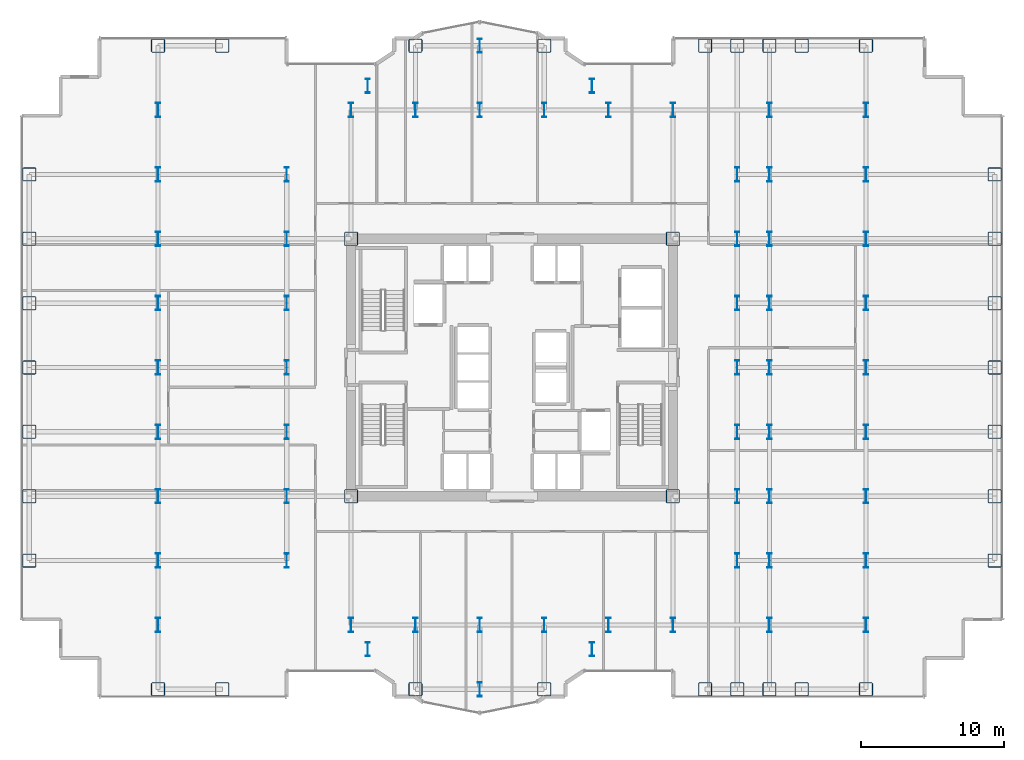
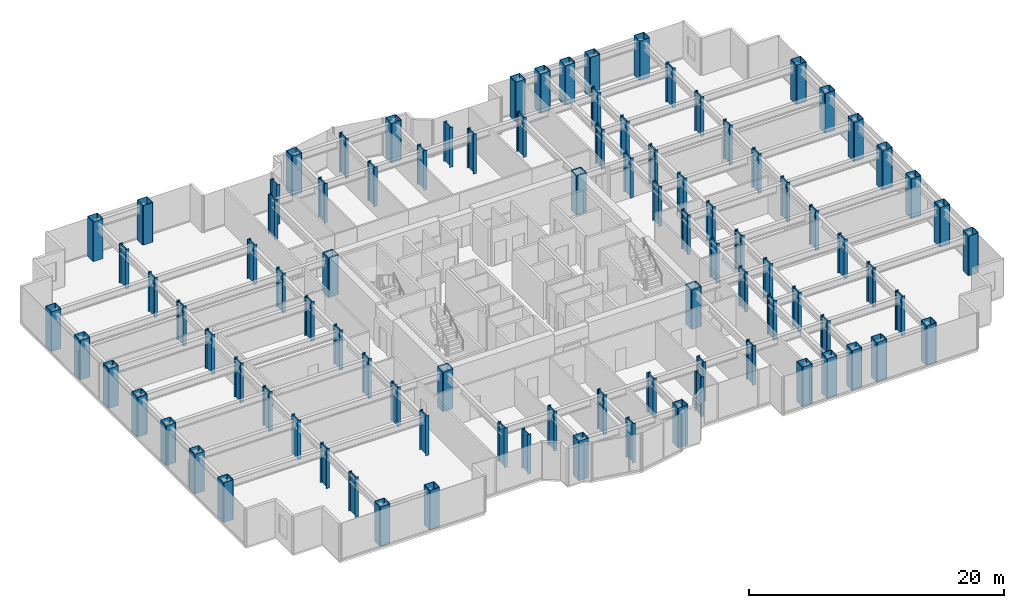
# One storey, part 1 of 25: 95 columns.
"""IFC4 building model written with IfcOpenShell, lengths in metres."""

from ifc_helpers import new_model, si_unit, direction, frame, origin, origin_2d, place, context, subcontext, project, spatial, hollow_rectangle, i_section, extrude, source, transform, mapped, material, material_profile, profile_set, type_object, element, save


model = new_model("IFC4")

# Units and contexts
model_context = context("Model", 3, precision=1e-05, world=origin(), true_north=direction((0.0, 1.0)))
body_context = subcontext(model_context, "Body", "Model", "MODEL_VIEW")
ifc_project = project(units=[si_unit("LENGTHUNIT", "METRE"), si_unit("AREAUNIT", "SQUARE_METRE"), si_unit("VOLUMEUNIT", "CUBIC_METRE"), si_unit("PLANEANGLEUNIT", "RADIAN"), si_unit("MASSUNIT", "GRAM", prefix="KILO")], contexts=[model_context])

# Site, building, storey
site_placement = place(None, origin())
site = spatial("IfcSite", under=ifc_project, at=site_placement, CompositionType="ELEMENT")
building_placement = place(site_placement, origin())
building = spatial("IfcBuilding", under=site, at=building_placement, Name="Nefas-Gora Pilgrimage Tower", CompositionType="ELEMENT")
storey_placement = place(building_placement, frame((0.0, 0.0, 71.0)))
storey = spatial("IfcBuildingStorey", under=building, at=storey_placement, Name="L16", CompositionType="ELEMENT", Elevation=71.0)

# Columns
ifc_material = material(Name="Steel S460", Category="steel")
ifc_material_profile_1 = material_profile(ifc_material, hollow_rectangle(XDim=0.949951171875, YDim=0.949951171875, WallThickness=0.044921875, InnerFilletRadius=0.044921875, OuterFilletRadius=0.090087890625, at=origin_2d()), Name="BOX 950x950x45")
ifc_profile_set_1 = profile_set([ifc_material_profile_1], Name="Steel S460")
column_type_1 = type_object("IfcColumnType", Name="COL-TUBE-950", PredefinedType="COLUMN", material=ifc_profile_set_1)
shared_shape_1 = source(origin(), body_context, "Body", "SweptSolid", [
    extrude(hollow_rectangle(XDim=0.949951171875, YDim=0.949951171875, WallThickness=0.044921875, InnerFilletRadius=0.044921875, OuterFilletRadius=0.090087890625, at=origin_2d()), origin(), (0.0, 0.0, 1.0), 3.800048828125),
])
for number, where, z_axis, x_axis, name in (
    (1, (-33.75, -13.5, 0.0), (0.0, 0.0, 1.0), (1.0, 0.0, 0.0), "L16 Tower Column C-Z1.1"),
    (2, (-33.75, -9.0, 0.0), (0.0, 0.0, 1.0), (1.0, 0.0, 0.0), "L16 Tower Column C-Z1.2"),
    (3, (-33.75, -4.5, 0.0), (0.0, 0.0, 1.0), (1.0, 0.0, 0.0), "L16 Tower Column C-Z1.3"),
    (4, (-33.75, 0.0, 0.0), (0.0, 0.0, 1.0), (1.0, 0.0, 0.0), "L16 Tower Column C-Z1.4"),
    (5, (-33.75, 4.5, 0.0), (0.0, 0.0, 1.0), (1.0, 0.0, 0.0), "L16 Tower Column C-Z1.5"),
    (6, (-33.75, 9.0, 0.0), (0.0, 0.0, 1.0), (1.0, 0.0, 0.0), "L16 Tower Column C-Z1.6"),
    (7, (-33.75, 13.5, 0.0), (0.0, 0.0, 1.0), (1.0, 0.0, 0.0), "L16 Tower Column C-Z1.7"),
    (8, (-24.75, -22.5, 0.0), (0.0, 0.0, 1.0), (1.0, 0.0, 0.0), "L16 Tower Column C-Z1.8"),
    (9, (-24.75, 22.5, 0.0), (0.0, 0.0, 1.0), (1.0, 0.0, 0.0), "L16 Tower Column C-Z1.18"),
    (10, (-20.25, -22.5, 0.0), (0.0, 0.0, 1.0), (1.0, 0.0, 0.0), "L16 Tower Column C-Z1.19"),
    (11, (-20.25, 22.5, 0.0), (0.0, 0.0, 1.0), (1.0, 0.0, 0.0), "L16 Tower Column C-Z1.20"),
    (12, (-6.75, -22.5, 0.0), (0.0, 0.0, 1.0), (1.0, 0.0, 0.0), "L16 Tower Column C-Z1.34"),
    (13, (-6.75, 22.5, 0.0), (0.0, 0.0, 1.0), (1.0, 0.0, 0.0), "L16 Tower Column C-Z1.37"),
    (14, (2.25, -22.5, 0.0), (0.0, 0.0, 1.0), (1.0, 0.0, 0.0), "L16 Tower Column C-Z1.42"),
    (15, (2.25, 22.5, 0.0), (0.0, 0.0, 1.0), (1.0, 0.0, 0.0), "L16 Tower Column C-Z1.45"),
    (16, (13.5, -22.5, 0.0), (0.0, 0.0, 1.0), (1.0, 0.0, 0.0), "L16 Tower Column C-Z1.54"),
    (17, (13.5, 22.5, 0.0), (0.0, 0.0, 1.0), (1.0, 0.0, 0.0), "L16 Tower Column C-Z1.55"),
    (18, (15.75, -22.5, 0.0), (0.0, 0.0, 1.0), (1.0, 0.0, 0.0), "L16 Tower Column C-Z1.56"),
    (19, (15.75, 22.5, 0.0), (0.0, 0.0, 1.0), (1.0, 0.0, 0.0), "L16 Tower Column C-Z1.64"),
    (20, (18.0, -22.5, 0.0), (0.0, 0.0, 1.0), (1.0, 0.0, 0.0), "L16 Tower Column C-Z1.65"),
    (21, (18.0, 22.5, 0.0), (0.0, 0.0, 1.0), (1.0, 0.0, 0.0), "L16 Tower Column C-Z1.75"),
    (22, (20.25, -22.5, 0.0), (0.0, 0.0, 1.0), (1.0, 0.0, 0.0), "L16 Tower Column C-Z1.76"),
    (23, (20.25, 22.5, 0.0), (0.0, 0.0, 1.0), (1.0, 0.0, 0.0), "L16 Tower Column C-Z1.77"),
    (24, (24.75, -22.5, 0.0), (0.0, 0.0, 1.0), (1.0, 0.0, 0.0), "L16 Tower Column C-Z1.78"),
    (25, (24.75, 22.5, 0.0), (0.0, 0.0, 1.0), (1.0, 0.0, 0.0), "L16 Tower Column C-Z1.88"),
    (26, (33.75, -13.5, 0.0), (0.0, 0.0, 1.0), (1.0, 0.0, 0.0), "L16 Tower Column C-Z1.89"),
    (27, (33.75, -9.0, 0.0), (0.0, 0.0, 1.0), (1.0, 0.0, 0.0), "L16 Tower Column C-Z1.90"),
    (28, (33.75, -4.5, 0.0), (0.0, 0.0, 1.0), (1.0, 0.0, 0.0), "L16 Tower Column C-Z1.91"),
    (29, (33.75, 0.0, 0.0), (0.0, 0.0, 1.0), (1.0, 0.0, 0.0), "L16 Tower Column C-Z1.92"),
    (30, (33.75, 4.5, 0.0), (0.0, 0.0, 1.0), (1.0, 0.0, 0.0), "L16 Tower Column C-Z1.93"),
    (31, (33.75, 9.0, 0.0), (0.0, 0.0, 1.0), (1.0, 0.0, 0.0), "L16 Tower Column C-Z1.94"),
    (32, (33.75, 13.5, 0.0), (0.0, 0.0, 1.0), (1.0, 0.0, 0.0), "L16 Tower Column C-Z1.95"),
):
    element("IfcColumn", number, at=place(storey_placement, frame(where, z_axis=z_axis, x_axis=x_axis)), inside=storey, type_object=column_type_1, Name=name, PredefinedType="COLUMN", context=body_context, shape_type="MappedRepresentation", body=[
        mapped(shared_shape_1, transform((0.0, 0.0, 0.0), x_axis=(1.0, 0.0, 0.0), y_axis=(0.0, 1.0, 0.0), z_axis=(0.0, 0.0, 1.0), scale=1.0)),
    ])
ifc_material_profile_2 = material_profile(ifc_material, i_section(OverallWidth=0.302001953125, OverallDepth=1.008056640625, WebThickness=0.02099609375, FlangeThickness=0.0400390625, FilletRadius=0.030029296875, at=origin_2d()), Name="HEM 1000")
ifc_profile_set_2 = profile_set([ifc_material_profile_2], Name="Steel S460")
column_type_2 = type_object("IfcColumnType", Name="COL-WEB-HEM1000", PredefinedType="COLUMN", material=ifc_profile_set_2)
shared_shape_2 = source(origin(), body_context, "Body", "SweptSolid", [
    extrude(i_section(OverallWidth=0.302001953125, OverallDepth=1.008056640625, WebThickness=0.02099609375, FlangeThickness=0.0400390625, FilletRadius=0.030029296875, at=origin_2d()), origin(), (0.0, 0.0, 1.0), 3.800048828125),
])
for number, where, z_axis, x_axis, name in (
    (33, (-24.75, -18.0, 0.0), (0.0, 0.0, 1.0), (1.0, 0.0, 0.0), "L16 Tower Column CW-01.9"),
    (34, (-24.75, -13.5, 0.0), (0.0, 0.0, 1.0), (1.0, 0.0, 0.0), "L16 Tower Column CW-01.10"),
    (35, (-24.75, -9.0, 0.0), (0.0, 0.0, 1.0), (1.0, 0.0, 0.0), "L16 Tower Column CW-01.11"),
    (36, (-24.75, -4.5, 0.0), (0.0, 0.0, 1.0), (1.0, 0.0, 0.0), "L16 Tower Column CW-01.12"),
    (37, (-24.75, 0.0, 0.0), (0.0, 0.0, 1.0), (1.0, 0.0, 0.0), "L16 Tower Column CW-01.13"),
    (38, (-24.75, 4.5, 0.0), (0.0, 0.0, 1.0), (1.0, 0.0, 0.0), "L16 Tower Column CW-01.14"),
    (39, (-24.75, 9.0, 0.0), (0.0, 0.0, 1.0), (1.0, 0.0, 0.0), "L16 Tower Column CW-01.15"),
    (40, (-24.75, 13.5, 0.0), (0.0, 0.0, 1.0), (1.0, 0.0, 0.0), "L16 Tower Column CW-01.16"),
    (41, (-24.75, 18.0, 0.0), (0.0, 0.0, 1.0), (1.0, 0.0, 0.0), "L16 Tower Column CW-01.17"),
    (42, (-15.75, -13.5, 0.0), (0.0, 0.0, 1.0), (1.0, 0.0, 0.0), "L16 Tower Column CW-01.21"),
    (43, (-15.75, -9.0, 0.0), (0.0, 0.0, 1.0), (1.0, 0.0, 0.0), "L16 Tower Column CW-01.22"),
    (44, (-15.75, -4.5, 0.0), (0.0, 0.0, 1.0), (1.0, 0.0, 0.0), "L16 Tower Column CW-01.23"),
    (45, (-15.75, 0.0, 0.0), (0.0, 0.0, 1.0), (1.0, 0.0, 0.0), "L16 Tower Column CW-01.24"),
    (46, (-15.75, 4.5, 0.0), (0.0, 0.0, 1.0), (1.0, 0.0, 0.0), "L16 Tower Column CW-01.25"),
    (47, (-15.75, 9.0, 0.0), (0.0, 0.0, 1.0), (1.0, 0.0, 0.0), "L16 Tower Column CW-01.26"),
    (48, (-15.75, 13.5, 0.0), (0.0, 0.0, 1.0), (1.0, 0.0, 0.0), "L16 Tower Column CW-01.27"),
    (49, (-11.25, -18.0, 0.0), (0.0, 0.0, 1.0), (1.0, 0.0, 0.0), "L16 Tower Column CW-01.28"),
    (50, (-11.25, 18.0, 0.0), (0.0, 0.0, 1.0), (1.0, 0.0, 0.0), "L16 Tower Column CW-01.31"),
    (51, (-10.091064453125, -19.696044921875, 0.0), (0.0, 0.0, 1.0), (1.0, 0.0, 0.0), "L16 Tower Column CW-01.32"),
    (52, (-10.091064453125, 19.696044921875, 0.0), (0.0, 0.0, 1.0), (1.0, 0.0, 0.0), "L16 Tower Column CW-01.33"),
    (53, (-6.75, -18.0, 0.0), (0.0, 0.0, 1.0), (1.0, 0.0, 0.0), "L16 Tower Column CW-01.35"),
    (54, (-6.75, 18.0, 0.0), (0.0, 0.0, 1.0), (1.0, 0.0, 0.0), "L16 Tower Column CW-01.36"),
    (55, (-2.25, -22.5, 0.0), (0.0, 0.0, 1.0), (1.0, 0.0, 0.0), "L16 Tower Column CW-01.38"),
    (56, (-2.25, -18.0, 0.0), (0.0, 0.0, 1.0), (1.0, 0.0, 0.0), "L16 Tower Column CW-01.39"),
    (57, (-2.25, 18.0, 0.0), (0.0, 0.0, 1.0), (1.0, 0.0, 0.0), "L16 Tower Column CW-01.40"),
    (58, (-2.25, 22.5, 0.0), (0.0, 0.0, 1.0), (1.0, 0.0, 0.0), "L16 Tower Column CW-01.41"),
    (59, (2.25, -18.0, 0.0), (0.0, 0.0, 1.0), (1.0, 0.0, 0.0), "L16 Tower Column CW-01.43"),
    (60, (2.25, 18.0, 0.0), (0.0, 0.0, 1.0), (1.0, 0.0, 0.0), "L16 Tower Column CW-01.44"),
    (61, (5.591064453125, -19.696044921875, 0.0), (0.0, 0.0, 1.0), (1.0, 0.0, 0.0), "L16 Tower Column CW-01.46"),
    (62, (5.591064453125, 19.696044921875, 0.0), (0.0, 0.0, 1.0), (1.0, 0.0, 0.0), "L16 Tower Column CW-01.47"),
    (63, (6.75, -18.0, 0.0), (0.0, 0.0, 1.0), (1.0, 0.0, 0.0), "L16 Tower Column CW-01.48"),
    (64, (6.75, 18.0, 0.0), (0.0, 0.0, 1.0), (1.0, 0.0, 0.0), "L16 Tower Column CW-01.49"),
    (65, (11.25, -18.0, 0.0), (0.0, 0.0, 1.0), (1.0, 0.0, 0.0), "L16 Tower Column CW-01.50"),
    (66, (11.25, 18.0, 0.0), (0.0, 0.0, 1.0), (1.0, 0.0, 0.0), "L16 Tower Column CW-01.53"),
    (67, (15.75, -13.5, 0.0), (0.0, 0.0, 1.0), (1.0, 0.0, 0.0), "L16 Tower Column CW-01.57"),
    (68, (15.75, -9.0, 0.0), (0.0, 0.0, 1.0), (1.0, 0.0, 0.0), "L16 Tower Column CW-01.58"),
    (69, (15.75, -4.5, 0.0), (0.0, 0.0, 1.0), (1.0, 0.0, 0.0), "L16 Tower Column CW-01.59"),
    (70, (15.75, 0.0, 0.0), (0.0, 0.0, 1.0), (1.0, 0.0, 0.0), "L16 Tower Column CW-01.60"),
    (71, (15.75, 4.5, 0.0), (0.0, 0.0, 1.0), (1.0, 0.0, 0.0), "L16 Tower Column CW-01.61"),
    (72, (15.75, 9.0, 0.0), (0.0, 0.0, 1.0), (1.0, 0.0, 0.0), "L16 Tower Column CW-01.62"),
    (73, (15.75, 13.5, 0.0), (0.0, 0.0, 1.0), (1.0, 0.0, 0.0), "L16 Tower Column CW-01.63"),
    (74, (18.0, -18.0, 0.0), (0.0, 0.0, 1.0), (1.0, 0.0, 0.0), "L16 Tower Column CW-01.66"),
    (75, (18.0, -13.5, 0.0), (0.0, 0.0, 1.0), (1.0, 0.0, 0.0), "L16 Tower Column CW-01.67"),
    (76, (18.0, -9.0, 0.0), (0.0, 0.0, 1.0), (1.0, 0.0, 0.0), "L16 Tower Column CW-01.68"),
    (77, (18.0, -4.5, 0.0), (0.0, 0.0, 1.0), (1.0, 0.0, 0.0), "L16 Tower Column CW-01.69"),
    (78, (18.0, 0.0, 0.0), (0.0, 0.0, 1.0), (1.0, 0.0, 0.0), "L16 Tower Column CW-01.70"),
    (79, (18.0, 4.5, 0.0), (0.0, 0.0, 1.0), (1.0, 0.0, 0.0), "L16 Tower Column CW-01.71"),
    (80, (18.0, 9.0, 0.0), (0.0, 0.0, 1.0), (1.0, 0.0, 0.0), "L16 Tower Column CW-01.72"),
    (81, (18.0, 13.5, 0.0), (0.0, 0.0, 1.0), (1.0, 0.0, 0.0), "L16 Tower Column CW-01.73"),
    (82, (18.0, 18.0, 0.0), (0.0, 0.0, 1.0), (1.0, 0.0, 0.0), "L16 Tower Column CW-01.74"),
    (83, (24.75, -18.0, 0.0), (0.0, 0.0, 1.0), (1.0, 0.0, 0.0), "L16 Tower Column CW-01.79"),
    (84, (24.75, -13.5, 0.0), (0.0, 0.0, 1.0), (1.0, 0.0, 0.0), "L16 Tower Column CW-01.80"),
    (85, (24.75, -9.0, 0.0), (0.0, 0.0, 1.0), (1.0, 0.0, 0.0), "L16 Tower Column CW-01.81"),
    (86, (24.75, -4.5, 0.0), (0.0, 0.0, 1.0), (1.0, 0.0, 0.0), "L16 Tower Column CW-01.82"),
    (87, (24.75, 0.0, 0.0), (0.0, 0.0, 1.0), (1.0, 0.0, 0.0), "L16 Tower Column CW-01.83"),
    (88, (24.75, 4.5, 0.0), (0.0, 0.0, 1.0), (1.0, 0.0, 0.0), "L16 Tower Column CW-01.84"),
    (89, (24.75, 9.0, 0.0), (0.0, 0.0, 1.0), (1.0, 0.0, 0.0), "L16 Tower Column CW-01.85"),
    (90, (24.75, 13.5, 0.0), (0.0, 0.0, 1.0), (1.0, 0.0, 0.0), "L16 Tower Column CW-01.86"),
    (91, (24.75, 18.0, 0.0), (0.0, 0.0, 1.0), (1.0, 0.0, 0.0), "L16 Tower Column CW-01.87"),
):
    element("IfcColumn", number, at=place(storey_placement, frame(where, z_axis=z_axis, x_axis=x_axis)), inside=storey, type_object=column_type_2, Name=name, PredefinedType="COLUMN", context=body_context, shape_type="MappedRepresentation", body=[
        mapped(shared_shape_2, transform((0.0, 0.0, 0.0), x_axis=(1.0, 0.0, 0.0), y_axis=(0.0, 1.0, 0.0), z_axis=(0.0, 0.0, 1.0), scale=1.0)),
    ])
ifc_material_profile_3 = material_profile(ifc_material, hollow_rectangle(XDim=0.949951171875, YDim=0.949951171875, WallThickness=0.044921875, InnerFilletRadius=0.044921875, OuterFilletRadius=0.090087890625, at=origin_2d()), Name="BOX 950x950x45")
ifc_profile_set_3 = profile_set([ifc_material_profile_3], Name="Steel S460")
column_type_3 = type_object("IfcColumnType", Name="COL-CORE-950", PredefinedType="COLUMN", material=ifc_profile_set_3)
shared_shape_3 = source(origin(), body_context, "Body", "SweptSolid", [
    extrude(hollow_rectangle(XDim=0.949951171875, YDim=0.949951171875, WallThickness=0.044921875, InnerFilletRadius=0.044921875, OuterFilletRadius=0.090087890625, at=origin_2d()), origin(), (0.0, 0.0, 1.0), 3.800048828125),
])
for number, where, z_axis, x_axis, name in (
    (92, (-11.25, -9.0, 0.0), (0.0, 0.0, 1.0), (1.0, 0.0, 0.0), "L16 Tower Column CC-Z1.29"),
    (93, (-11.25, 9.0, 0.0), (0.0, 0.0, 1.0), (1.0, 0.0, 0.0), "L16 Tower Column CC-Z1.30"),
    (94, (11.25, -9.0, 0.0), (0.0, 0.0, 1.0), (1.0, 0.0, 0.0), "L16 Tower Column CC-Z1.51"),
    (95, (11.25, 9.0, 0.0), (0.0, 0.0, 1.0), (1.0, 0.0, 0.0), "L16 Tower Column CC-Z1.52"),
):
    element("IfcColumn", number, at=place(storey_placement, frame(where, z_axis=z_axis, x_axis=x_axis)), inside=storey, type_object=column_type_3, Name=name, PredefinedType="COLUMN", context=body_context, shape_type="MappedRepresentation", body=[
        mapped(shared_shape_3, transform((0.0, 0.0, 0.0), x_axis=(1.0, 0.0, 0.0), y_axis=(0.0, 1.0, 0.0), z_axis=(0.0, 0.0, 1.0), scale=1.0)),
    ])

save(model, "model.ifc")
